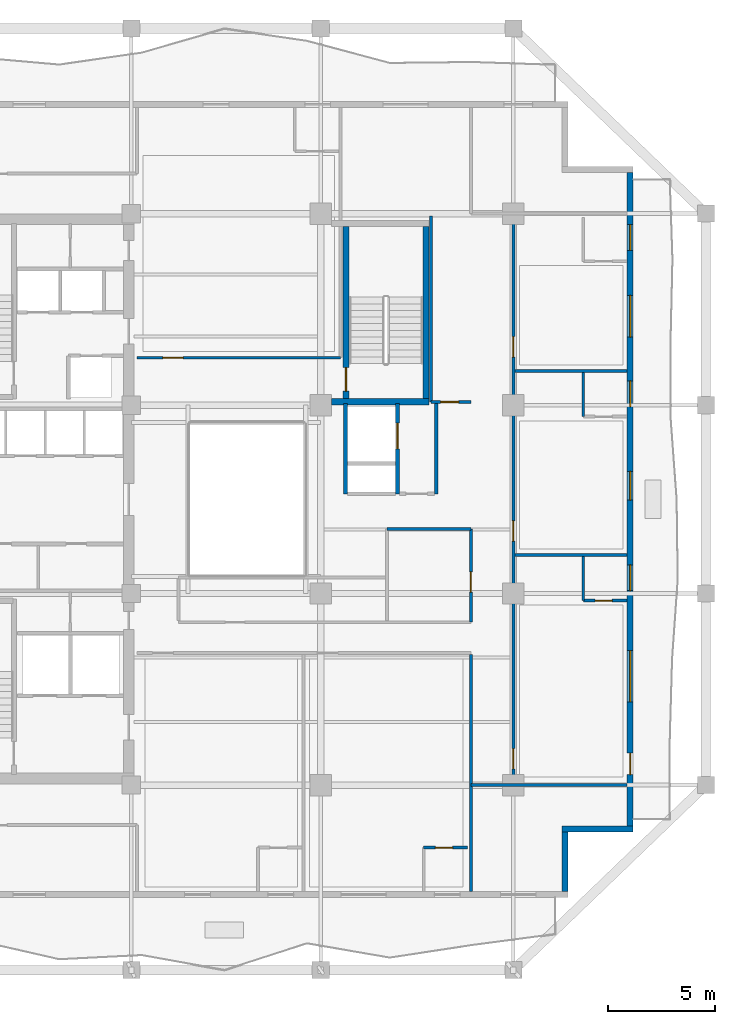
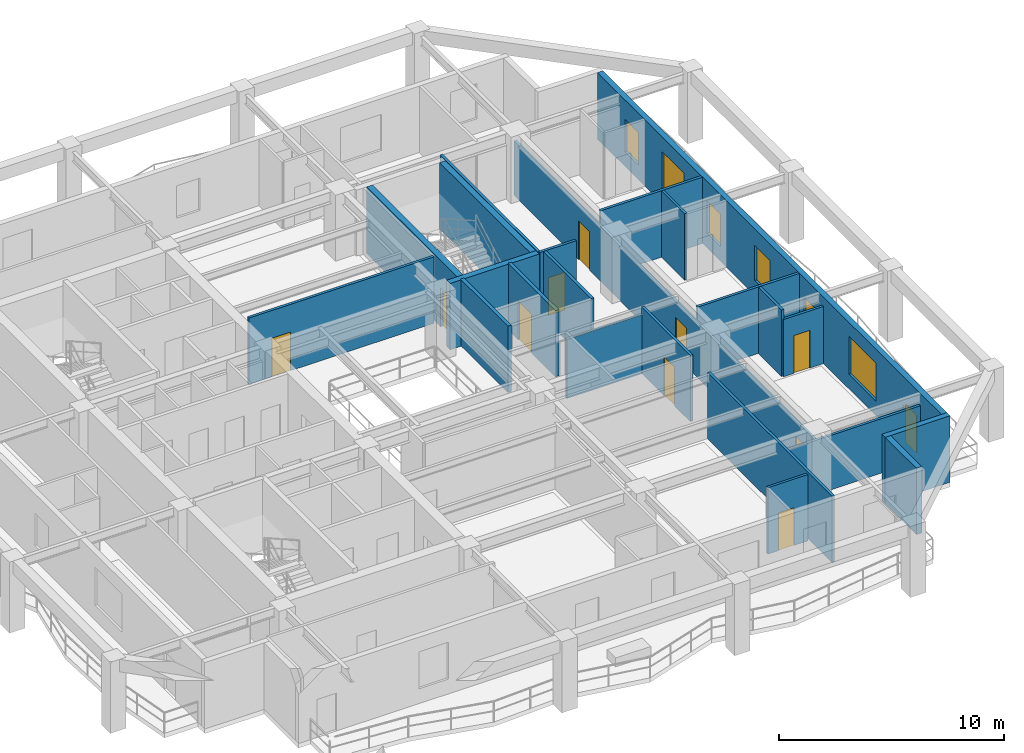
# One storey, part 5 of 11: 23 walls, 11 doors, 6 windows, 17 openings.
"""IFC4 building model written with IfcOpenShell, lengths in metres."""

import ifcopenshell
import ifcopenshell.guid

model = None  # the IFC model being written
_history = None  # IfcOwnerHistory: only IFC2X3 demands one
_inside = {}  # id of a spatial element -> (the spatial element, [elements in it])
_under = {}  # id of a project, library or spatial element -> (it, [spatial elements below it])
_declared = {}  # id of a project -> (the project, [libraries it declares])
_typed = {}  # id of a type object -> (the type object, [elements of that type])
_made_of = {}  # id of a material, layer set ... -> (it, [elements and type objects made of it])


def new_model(schema):
    """Start an empty IFC model of exactly this schema.

    Asked for "IFC4X3", IfcOpenShell would pick the latest addendum, in which some entities
    have other attributes; the version numbers below select the first issue.
    IFC2X3 requires an IfcOwnerHistory on every rooted entity: one is made here for all.
    """
    global model, _history
    if schema == "IFC4X3":
        model = ifcopenshell.file(schema_version=(4, 3, 0, 0))
    else:
        model = ifcopenshell.file(schema=schema)
    _inside.clear()
    _under.clear()
    _declared.clear()
    _typed.clear()
    _made_of.clear()
    _history = None
    if model.schema == "IFC2X3":
        org = make("IfcOrganization", Name="unknown")
        user = make(
            "IfcPersonAndOrganization",
            ThePerson=make("IfcPerson", FamilyName="unknown"),
            TheOrganization=org,
        )
        app = make(
            "IfcApplication",
            ApplicationDeveloper=org,
            Version="unknown",
            ApplicationFullName="unknown",
            ApplicationIdentifier="unknown",
        )
        _history = make(
            "IfcOwnerHistory",
            OwningUser=user,
            OwningApplication=app,
            ChangeAction="ADDED",
            CreationDate=0,
        )
    return model


def make(cls, **values):
    """One entity of the class cls with the attributes given. An attribute that is None is left unset."""
    return model.create_entity(
        cls, **{name: value for name, value in values.items() if value is not None}
    )


def rooted(cls, **values):
    """An entity with a GlobalId (a new one), such as an element, a storey or a relation."""
    return make(cls, GlobalId=ifcopenshell.guid.new(), OwnerHistory=_history, **values)


def si_unit(unit_type, name, prefix=None):
    """IfcSIUnit, for example si_unit("LENGTHUNIT", "METRE", prefix="MILLI")."""
    return make("IfcSIUnit", UnitType=unit_type, Prefix=prefix, Name=name)


def assignment(units):
    """IfcUnitAssignment: the units of a project."""
    return None if units is None else make("IfcUnitAssignment", Units=units)


def point(xyz):
    """IfcCartesianPoint."""
    return None if xyz is None else make("IfcCartesianPoint", Coordinates=xyz)


def direction(xyz):
    """IfcDirection."""
    return None if xyz is None else make("IfcDirection", DirectionRatios=xyz)


def frame(location, z_axis=None, x_axis=None):
    """IfcAxis2Placement3D, a coordinate frame: its origin and axes. An axis left out is left unset."""
    return make(
        "IfcAxis2Placement3D",
        Location=point(location),
        Axis=direction(z_axis),
        RefDirection=direction(x_axis),
    )


def frame_2d(location, x_axis=None):
    """IfcAxis2Placement2D, a coordinate frame in the plane: its origin and x axis."""
    return make(
        "IfcAxis2Placement2D", Location=point(location), RefDirection=direction(x_axis)
    )


def origin():
    """The frame at (0, 0, 0) with its axes left unset."""
    return frame((0.0, 0.0, 0.0))


def place(relative_to, where):
    """IfcLocalPlacement: puts the frame where relative to a parent placement (None: the world)."""
    return make(
        "IfcLocalPlacement", PlacementRelTo=relative_to, RelativePlacement=where
    )


def context(
    kind, dimensions, precision=None, world=None, true_north=None, identifier=None
):
    """IfcGeometricRepresentationContext, for example the 3D "Model" context."""
    return make(
        "IfcGeometricRepresentationContext",
        ContextIdentifier=identifier,
        ContextType=kind,
        CoordinateSpaceDimension=dimensions,
        Precision=precision,
        WorldCoordinateSystem=world,
        TrueNorth=true_north,
    )


def subcontext(parent, identifier, kind, view, scale=None):
    """IfcGeometricRepresentationSubContext, for example "Body" below "Model"."""
    return make(
        "IfcGeometricRepresentationSubContext",
        ContextIdentifier=identifier,
        ContextType=kind,
        ParentContext=parent,
        TargetScale=scale,
        TargetView=view,
    )


def project(units=None, contexts=None):
    """IfcProject with its units and contexts."""
    return rooted(
        "IfcProject",
        Name="project",
        RepresentationContexts=contexts,
        UnitsInContext=assignment(units),
    )


def spatial(cls, under=None, at=None, **own):
    """A site, building, storey or space (cls), placed at a placement, below another one or the project."""
    s = rooted(cls, ObjectPlacement=at, **own)
    if under is not None:
        _under.setdefault(under.id(), (under, []))[1].append(s)
    return s


def profile(cls, at=None, kind="AREA", **sizes):
    """A parametric profile (cls). Its sizes go by their IFC names, for example OverallWidth=200.0."""
    return make(cls, ProfileType=kind, Position=at, **sizes)


def rectangle(**sizes):
    """IfcRectangleProfileDef."""
    return profile("IfcRectangleProfileDef", **sizes)


def extrude(swept, where, along, depth):
    """IfcExtrudedAreaSolid: the profile swept, set in the frame where, extruded along a direction by depth."""
    return make(
        "IfcExtrudedAreaSolid",
        SweptArea=swept,
        Position=where,
        ExtrudedDirection=direction(along),
        Depth=depth,
    )


def shape(context_of_items, identifier, shape_type, items):
    """IfcShapeRepresentation: the items that make up one representation, for example the "Body"."""
    return make(
        "IfcShapeRepresentation",
        ContextOfItems=context_of_items,
        RepresentationIdentifier=identifier,
        RepresentationType=shape_type,
        Items=items,
    )


def material(Name=None, Category=None):
    """IfcMaterial."""
    return make("IfcMaterial", Name=Name, Category=Category)


def layer(
    of_material, thickness, ventilated=None, Name=None, Category=None, Priority=None
):
    """IfcMaterialLayer: one layer of a wall or slab, of a material (None: an air gap)."""
    return make(
        "IfcMaterialLayer",
        Material=of_material,
        LayerThickness=thickness,
        IsVentilated=ventilated,
        Name=Name,
        Category=Category,
        Priority=Priority,
    )


def layer_set(layers, Name=None):
    """IfcMaterialLayerSet."""
    return make("IfcMaterialLayerSet", MaterialLayers=layers, LayerSetName=Name)


def made_of(thing, what):
    """Note that an element or type object is made of a material, layer set ...; save() writes the relation."""
    if what is not None:
        _made_of.setdefault(what.id(), (what, []))[1].append(thing)
    return thing


def type_object(cls, material=None, **own):
    """A type object (cls), such as IfcWallType, which elements share."""
    return made_of(rooted(cls, **own), material)


def element(
    cls,
    number,
    at=None,
    inside=None,
    cuts=None,
    type_object=None,
    material=None,
    context=None,
    identifier="Body",
    shape_type=None,
    held_by="IfcProductDefinitionShape",
    body=None,
    shapes=None,
    **own,
):
    """One element of the class cls, such as IfcWall. Its Tag is "e" and its number.

    at: its placement. inside: the storey or other place that contains it. cuts: it is an
    opening in that element (IfcRelVoidsElement). A single representation is given by context,
    identifier, shape_type and body (its items); several are given by shapes. held_by: the class
    of the entity that holds the representations. save() writes the other relations.
    """
    e = rooted(cls, Tag="e%d" % number, ObjectPlacement=at, **own)
    if body is not None:
        shapes = [shape(context, identifier, shape_type, body)]
    if shapes is not None:
        e.Representation = make(held_by, Representations=shapes)
    if inside is not None:
        _inside.setdefault(inside.id(), (inside, []))[1].append(e)
    if cuts is not None:
        rooted(
            "IfcRelVoidsElement", RelatingBuildingElement=cuts, RelatedOpeningElement=e
        )
    if type_object is not None:
        _typed.setdefault(type_object.id(), (type_object, []))[1].append(e)
    return made_of(e, material)


def fill(opening, filler):
    """IfcRelFillsElement: the door or window that sits in an opening."""
    return rooted(
        "IfcRelFillsElement",
        RelatingOpeningElement=opening,
        RelatedBuildingElement=filler,
    )


def aggregate(whole, parts):
    """IfcRelAggregates: a whole, such as a stair, and the parts it consists of."""
    return rooted("IfcRelAggregates", RelatingObject=whole, RelatedObjects=parts)


def save(model, path):
    """Write the relations noted so far, then the file.

    IfcRelAggregates (storeys below a building ...), IfcRelContainedInSpatialStructure (elements
    in a storey), IfcRelDefinesByType, IfcRelAssociatesMaterial and IfcRelDeclares: one each for
    every whole, place, type object, material and project.
    """
    for whole, parts in _under.values():
        aggregate(whole, parts)
    for where, things in _inside.values():
        rooted(
            "IfcRelContainedInSpatialStructure",
            RelatedElements=things,
            RelatingStructure=where,
        )
    for kind, things in _typed.values():
        rooted("IfcRelDefinesByType", RelatedObjects=things, RelatingType=kind)
    for what, things in _made_of.values():
        rooted("IfcRelAssociatesMaterial", RelatedObjects=things, RelatingMaterial=what)
    for by, libraries in _declared.values():
        rooted("IfcRelDeclares", RelatingContext=by, RelatedDefinitions=libraries)
    model.write(path)


model = new_model("IFC4")

# Units and contexts
model_context = context("Model", 3, precision=1e-05, world=origin(), true_north=direction((0.0, 1.0)))
body_context = subcontext(model_context, "Body", "Model", "MODEL_VIEW")
ifc_project = project(units=[si_unit("LENGTHUNIT", "METRE"), si_unit("AREAUNIT", "SQUARE_METRE"), si_unit("VOLUMEUNIT", "CUBIC_METRE"), si_unit("PLANEANGLEUNIT", "RADIAN"), si_unit("MASSUNIT", "GRAM", prefix="KILO")], contexts=[model_context])

# Site, building, storey
site_placement = place(None, origin())
site = spatial("IfcSite", under=ifc_project, at=site_placement, CompositionType="ELEMENT")
building_placement = place(site_placement, origin())
building = spatial("IfcBuilding", under=site, at=building_placement, Name="Kundavana Baori Tower", CompositionType="ELEMENT")
storey_placement = place(building_placement, frame((0.0, 0.0, 119.39990234375)))
storey = spatial("IfcBuildingStorey", under=building, at=storey_placement, Name="L28", CompositionType="ELEMENT", Elevation=119.39990234375)

# Walls
ifc_material_1 = material(Name="Red-Buff Dholpur Sandstone Cladding on Concrete C40/50", Category="masonry")
ifc_layer_1 = layer(ifc_material_1, 0.280029296875, Name="WL-EXT-SAND-280")
ifc_layer_set_1 = layer_set([ifc_layer_1], Name="Red-Buff Dholpur Sandstone Cladding on Concrete C40/50")
wall_type_1 = type_object("IfcWallType", Name="WL-EXT-SAND-280", PredefinedType="STANDARD", material=ifc_layer_set_1)
wall_1_placement = place(storey_placement, frame((45.2099609375, 10.280029296875, 0.0), z_axis=(0.0, 0.0, 1.0), x_axis=(0.0, 1.0, 0.0)))
element("IfcWall", 1, at=wall_1_placement, inside=storey, type_object=wall_type_1, Name="L28 Exterior Insulated Facade Wall 02", PredefinedType="STANDARD", context=body_context, shape_type="SweptSolid", body=[
    extrude(rectangle(XDim=2.77001953125, YDim=0.280029296875, at=frame_2d((1.385009765625, 0.0))), origin(), (0.0, 0.0, 1.0), 3.60009765625),
])
wall_2_placement = place(storey_placement, frame((45.070068359375, 13.18994140625, 0.0), z_axis=(0.0, 0.0, 1.0), x_axis=(1.0, 0.0, 0.0)))
element("IfcWall", 2, at=wall_2_placement, inside=storey, type_object=wall_type_1, Name="L28 Exterior Insulated Facade Wall 03", PredefinedType="STANDARD", context=body_context, shape_type="SweptSolid", body=[
    extrude(rectangle(XDim=3.329833984375, YDim=0.280029296875, at=frame_2d((1.6650390625, 0.0))), origin(), (0.0, 0.0, 1.0), 3.60009765625),
])

# Wall, openings, door, windows
wall_3_placement = place(storey_placement, frame((48.260009765625, 13.330078125, 0.0), z_axis=(0.0, 0.0, 1.0), x_axis=(0.0, 1.0, 0.0)))
wall_3 = element("IfcWall", 3, at=wall_3_placement, inside=storey, type_object=wall_type_1, Name="L28 Exterior Insulated Facade Wall 04", PredefinedType="STANDARD", context=body_context, shape_type="SweptSolid", body=[
    extrude(rectangle(XDim=30.5400390625, YDim=0.280029296875, at=frame_2d((15.27001953125, 0.0))), origin(), (0.0, 0.0, 1.0), 3.60009765625),
])
opening_1_placement = place(wall_3_placement, frame((2.409912109375, 0.0, 0.0)))
opening_1 = element("IfcOpeningElement", 4, at=opening_1_placement, cuts=wall_3, Name="Opening BD-1", PredefinedType="OPENING", context=body_context, shape_type="SweptSolid", body=[
    extrude(rectangle(XDim=1.0, YDim=2.050048828125, at=frame_2d((0.5, 1.02490234375))), frame((0.0, 0.14990234375, 0.0), z_axis=(0.0, -1.0, 0.0), x_axis=(1.0, 0.0, 0.0)), (0.0, 0.0, 1.0), 0.300048828125),
])
opening_2_placement = place(wall_3_placement, frame((5.804931640625, 0.0, 0.800048828125)))
opening_2 = element("IfcOpeningElement", 5, at=opening_2_placement, cuts=wall_3, Name="Opening W-04", PredefinedType="OPENING", context=body_context, shape_type="SweptSolid", body=[
    extrude(rectangle(XDim=2.39990234375, YDim=2.050048828125, at=frame_2d((1.199951171875, 1.02490234375))), frame((0.0, 0.14990234375, 0.0), z_axis=(0.0, -1.0, 0.0), x_axis=(1.0, 0.0, 0.0)), (0.0, 0.0, 1.0), 0.300048828125),
])
opening_3_placement = place(wall_3_placement, frame((11.0048828125, 0.0, 0.800048828125)))
opening_3 = element("IfcOpeningElement", 6, at=opening_3_placement, cuts=wall_3, Name="Opening W-03", PredefinedType="OPENING", context=body_context, shape_type="SweptSolid", body=[
    extrude(rectangle(XDim=1.199951171875, YDim=1.75, at=frame_2d((0.60009765625, 0.875))), frame((0.0, 0.14990234375, 0.0), z_axis=(0.0, -1.0, 0.0), x_axis=(1.0, 0.0, 0.0)), (0.0, 0.0, 1.0), 0.300048828125),
])
opening_4_placement = place(wall_3_placement, frame((15.22998046875, 0.0, 0.800048828125)))
opening_4 = element("IfcOpeningElement", 7, at=opening_4_placement, cuts=wall_3, Name="Opening W-07", PredefinedType="OPENING", context=body_context, shape_type="SweptSolid", body=[
    extrude(rectangle(XDim=1.35009765625, YDim=1.89990234375, at=frame_2d((0.675048828125, 0.949951171875))), frame((0.0, 0.14990234375, 0.0), z_axis=(0.0, -1.0, 0.0), x_axis=(1.0, 0.0, 0.0)), (0.0, 0.0, 1.0), 0.300048828125),
])
opening_5_placement = place(wall_3_placement, frame((19.60498046875, 0.0, 0.800048828125)))
opening_5 = element("IfcOpeningElement", 8, at=opening_5_placement, cuts=wall_3, Name="Opening W-03", PredefinedType="OPENING", context=body_context, shape_type="SweptSolid", body=[
    extrude(rectangle(XDim=1.199951171875, YDim=1.75, at=frame_2d((0.60009765625, 0.875))), frame((0.0, 0.14990234375, 0.0), z_axis=(0.0, -1.0, 0.0), x_axis=(1.0, 0.0, 0.0)), (0.0, 0.0, 1.0), 0.300048828125),
])
opening_6_placement = place(wall_3_placement, frame((22.85498046875, 0.0, 0.800048828125)))
opening_6 = element("IfcOpeningElement", 9, at=opening_6_placement, cuts=wall_3, Name="Opening W-09", PredefinedType="OPENING", context=body_context, shape_type="SweptSolid", body=[
    extrude(rectangle(XDim=1.949951171875, YDim=2.0, at=frame_2d((0.97509765625, 1.0))), frame((0.0, 0.14990234375, 0.0), z_axis=(0.0, -1.0, 0.0), x_axis=(1.0, 0.0, 0.0)), (0.0, 0.0, 1.0), 0.300048828125),
])
opening_7_placement = place(wall_3_placement, frame((26.905029296875, 0.0, 0.800048828125)))
opening_7 = element("IfcOpeningElement", 10, at=opening_7_placement, cuts=wall_3, Name="Opening W-03", PredefinedType="OPENING", context=body_context, shape_type="SweptSolid", body=[
    extrude(rectangle(XDim=1.199951171875, YDim=1.75, at=frame_2d((0.60009765625, 0.875))), frame((0.0, 0.14990234375, 0.0), z_axis=(0.0, -1.0, 0.0), x_axis=(1.0, 0.0, 0.0)), (0.0, 0.0, 1.0), 0.300048828125),
])
ifc_material_2 = material(Name="Architectural Patinated Bronze Metalwork")
door_type_1 = type_object("IfcDoorType", Name="DR-EXT-LOG-1000", OperationType="NOTDEFINED", PredefinedType="DOOR", material=ifc_material_2)
door_1_placement = place(opening_1_placement, frame((1.0, 0.0, 0.0), z_axis=(0.0, 0.0, 1.0), x_axis=(-1.0, 0.0, 0.0)))
door_1 = element("IfcDoor", 11, at=door_1_placement, inside=storey, type_object=door_type_1, Name="L28 Loggia Balcony Access Door E", OperationType="SINGLE_SWING_RIGHT", OverallHeight=2.050048828125, OverallWidth=1.0, PredefinedType="DOOR", context=body_context, shape_type="SweptSolid", body=[
    extrude(rectangle(XDim=1.0, YDim=2.050048828125, at=frame_2d((0.5, 1.02490234375))), frame((0.0, 0.02490234375, 0.0), z_axis=(0.0, -1.0, 0.0), x_axis=(1.0, 0.0, 0.0)), (0.0, 0.0, 1.0), 0.050048828125),
])
fill(opening_1, door_1)
ifc_material_3 = material(Name="Double-Glazed Solar-Control Low-E Insulated Glass", Category="glass")
window_type_1 = type_object("IfcWindowType", Name="WIN-LOG-1200x1750", PartitioningType="SINGLE_PANEL", PredefinedType="WINDOW", material=ifc_material_3)
window_1_placement = place(opening_3_placement, origin())
window_1 = element("IfcWindow", 12, at=window_1_placement, inside=storey, type_object=window_type_1, Name="L28 Recessed Loggia Window E-2", OverallHeight=1.75, OverallWidth=1.199951171875, PartitioningType="SINGLE_PANEL", PredefinedType="WINDOW", context=body_context, shape_type="SweptSolid", body=[
    extrude(rectangle(XDim=1.199951171875, YDim=1.75, at=frame_2d((0.60009765625, 0.875))), frame((0.0, 0.030029296875, 0.0), z_axis=(0.0, -1.0, 0.0), x_axis=(1.0, 0.0, 0.0)), (0.0, 0.0, 1.0), 0.06005859375),
])
fill(opening_3, window_1)
window_2_placement = place(opening_5_placement, origin())
window_2 = element("IfcWindow", 13, at=window_2_placement, inside=storey, type_object=window_type_1, Name="L28 Recessed Loggia Window E-4", OverallHeight=1.75, OverallWidth=1.199951171875, PartitioningType="SINGLE_PANEL", PredefinedType="WINDOW", context=body_context, shape_type="SweptSolid", body=[
    extrude(rectangle(XDim=1.199951171875, YDim=1.75, at=frame_2d((0.60009765625, 0.875))), frame((0.0, 0.030029296875, 0.0), z_axis=(0.0, -1.0, 0.0), x_axis=(1.0, 0.0, 0.0)), (0.0, 0.0, 1.0), 0.06005859375),
])
fill(opening_5, window_2)
window_3_placement = place(opening_7_placement, origin())
window_3 = element("IfcWindow", 14, at=window_3_placement, inside=storey, type_object=window_type_1, Name="L28 Recessed Loggia Window E-6", OverallHeight=1.75, OverallWidth=1.199951171875, PartitioningType="SINGLE_PANEL", PredefinedType="WINDOW", context=body_context, shape_type="SweptSolid", body=[
    extrude(rectangle(XDim=1.199951171875, YDim=1.75, at=frame_2d((0.60009765625, 0.875))), frame((0.0, 0.030029296875, 0.0), z_axis=(0.0, -1.0, 0.0), x_axis=(1.0, 0.0, 0.0)), (0.0, 0.0, 1.0), 0.06005859375),
])
fill(opening_7, window_3)
ifc_material_4 = material(Name="Double-Glazed Solar-Control Low-E Insulated Glass", Category="glass")
window_type_2 = type_object("IfcWindowType", Name="WIN-LOG-1350x1900", PartitioningType="SINGLE_PANEL", PredefinedType="WINDOW", material=ifc_material_4)
window_4_placement = place(opening_4_placement, origin())
window_4 = element("IfcWindow", 15, at=window_4_placement, inside=storey, type_object=window_type_2, Name="L28 Recessed Loggia Window E-3", OverallHeight=1.89990234375, OverallWidth=1.35009765625, PartitioningType="SINGLE_PANEL", PredefinedType="WINDOW", context=body_context, shape_type="SweptSolid", body=[
    extrude(rectangle(XDim=1.35009765625, YDim=1.89990234375, at=frame_2d((0.675048828125, 0.949951171875))), frame((0.0, 0.030029296875, 0.0), z_axis=(0.0, -1.0, 0.0), x_axis=(1.0, 0.0, 0.0)), (0.0, 0.0, 1.0), 0.06005859375),
])
fill(opening_4, window_4)
ifc_material_5 = material(Name="Double-Glazed Solar-Control Low-E Insulated Glass", Category="glass")
window_type_3 = type_object("IfcWindowType", Name="WIN-LOG-1950x2000", PartitioningType="SINGLE_PANEL", PredefinedType="WINDOW", material=ifc_material_5)
window_5_placement = place(opening_6_placement, origin())
window_5 = element("IfcWindow", 16, at=window_5_placement, inside=storey, type_object=window_type_3, Name="L28 Recessed Loggia Window E-5", OverallHeight=2.0, OverallWidth=1.949951171875, PartitioningType="SINGLE_PANEL", PredefinedType="WINDOW", context=body_context, shape_type="SweptSolid", body=[
    extrude(rectangle(XDim=1.949951171875, YDim=2.0, at=frame_2d((0.97509765625, 1.0))), frame((0.0, 0.030029296875, 0.0), z_axis=(0.0, -1.0, 0.0), x_axis=(1.0, 0.0, 0.0)), (0.0, 0.0, 1.0), 0.06005859375),
])
fill(opening_6, window_5)
ifc_material_6 = material(Name="Double-Glazed Solar-Control Low-E Insulated Glass", Category="glass")
window_type_4 = type_object("IfcWindowType", Name="WIN-LOG-2400x2050", PartitioningType="SINGLE_PANEL", PredefinedType="WINDOW", material=ifc_material_6)
window_6_placement = place(opening_2_placement, origin())
window_6 = element("IfcWindow", 17, at=window_6_placement, inside=storey, type_object=window_type_4, Name="L28 Recessed Loggia Window E-1", OverallHeight=2.050048828125, OverallWidth=2.39990234375, PartitioningType="SINGLE_PANEL", PredefinedType="WINDOW", context=body_context, shape_type="SweptSolid", body=[
    extrude(rectangle(XDim=2.39990234375, YDim=2.050048828125, at=frame_2d((1.199951171875, 1.02490234375))), frame((0.0, 0.030029296875, 0.0), z_axis=(0.0, -1.0, 0.0), x_axis=(1.0, 0.0, 0.0)), (0.0, 0.0, 1.0), 0.06005859375),
])
fill(opening_2, window_6)

# Wall, opening, door
ifc_material_7 = material(Name="Acoustic Gypsum Plasterboard on Galvanised Steel Studs", Category="steel")
ifc_layer_2 = layer(ifc_material_7, 0.135009765625, Name="WL-PART-135")
ifc_layer_set_2 = layer_set([ifc_layer_2], Name="Acoustic Gypsum Plasterboard on Galvanised Steel Studs")
wall_type_2 = type_object("IfcWallType", Name="WL-PART-135", PredefinedType="PARTITIONING", material=ifc_layer_set_2)
wall_4_placement = place(storey_placement, frame((25.219970703125, 35.219970703125, 0.0), z_axis=(0.0, 0.0, 1.0), x_axis=(1.0, 0.0, 0.0)))
wall_4 = element("IfcWall", 18, at=wall_4_placement, inside=storey, type_object=wall_type_2, Name="WL-L28-HN", PredefinedType="PARTITIONING", context=body_context, shape_type="SweptSolid", body=[
    extrude(rectangle(XDim=9.5, YDim=0.135009765625, at=frame_2d((4.75, 0.0))), origin(), (0.0, 0.0, 1.0), 3.60009765625),
])
opening_8_placement = place(wall_4_placement, frame((1.199951171875, 0.0, 0.0)))
opening_8 = element("IfcOpeningElement", 19, at=opening_8_placement, cuts=wall_4, Name="Opening FD-095", PredefinedType="OPENING", context=body_context, shape_type="SweptSolid", body=[
    extrude(rectangle(XDim=0.949951171875, YDim=2.10009765625, at=frame_2d((0.47509765625, 1.050048828125))), frame((0.0, 0.07763671875, 0.0), z_axis=(0.0, -1.0, 0.0), x_axis=(1.0, 0.0, 0.0)), (0.0, 0.0, 1.0), 0.155029296875),
])
ifc_material_8 = material(Name="Engineered Teak Fire-Rated Timber Door Leaf", Category="wood")
door_type_2 = type_object("IfcDoorType", Name="DR-FD60-950", OperationType="NOTDEFINED", PredefinedType="DOOR", material=ifc_material_8)
door_2_placement = place(opening_8_placement, origin())
door_2 = element("IfcDoor", 20, at=door_2_placement, inside=storey, type_object=door_type_2, Name="DR-L28-HK-N1-ENT", OperationType="SINGLE_SWING_RIGHT", OverallHeight=2.10009765625, OverallWidth=0.949951171875, PredefinedType="DOOR", context=body_context, shape_type="SweptSolid", body=[
    extrude(rectangle(XDim=0.949951171875, YDim=2.10009765625, at=frame_2d((0.47509765625, 1.050048828125))), frame((0.0, 0.02490234375, 0.0), z_axis=(0.0, -1.0, 0.0), x_axis=(1.0, 0.0, 0.0)), (0.0, 0.0, 1.0), 0.050048828125),
])
fill(opening_8, door_2)

# Wall, openings, doors
wall_5_placement = place(storey_placement, frame((42.800048828125, 15.25, 0.0), z_axis=(0.0, 0.0, 1.0), x_axis=(0.0, 1.0, 0.0)))
wall_5 = element("IfcWall", 21, at=wall_5_placement, inside=storey, type_object=wall_type_2, Name="WL-L28-HE", PredefinedType="PARTITIONING", context=body_context, shape_type="SweptSolid", body=[
    extrude(rectangle(XDim=26.699951171875, YDim=0.135009765625, at=frame_2d((13.35009765625, 0.0))), origin(), (0.0, 0.0, 1.0), 2.9501953125),
])
opening_9_placement = place(wall_5_placement, frame((0.75, 0.0, 0.0)))
opening_9 = element("IfcOpeningElement", 22, at=opening_9_placement, cuts=wall_5, Name="Opening FD-095", PredefinedType="OPENING", context=body_context, shape_type="SweptSolid", body=[
    extrude(rectangle(XDim=0.949951171875, YDim=2.10009765625, at=frame_2d((0.47509765625, 1.050048828125))), frame((0.0, 0.07763671875, 0.0), z_axis=(0.0, -1.0, 0.0), x_axis=(1.0, 0.0, 0.0)), (0.0, 0.0, 1.0), 0.155029296875),
])
opening_10_placement = place(wall_5_placement, frame((11.39990234375, 0.0, 0.0)))
opening_10 = element("IfcOpeningElement", 23, at=opening_10_placement, cuts=wall_5, Name="Opening FD-095", PredefinedType="OPENING", context=body_context, shape_type="SweptSolid", body=[
    extrude(rectangle(XDim=0.949951171875, YDim=2.10009765625, at=frame_2d((0.47509765625, 1.050048828125))), frame((0.0, 0.07763671875, 0.0), z_axis=(0.0, -1.0, 0.0), x_axis=(1.0, 0.0, 0.0)), (0.0, 0.0, 1.0), 0.155029296875),
])
opening_11_placement = place(wall_5_placement, frame((20.0, 0.0, 0.0)))
opening_11 = element("IfcOpeningElement", 24, at=opening_11_placement, cuts=wall_5, Name="Opening FD-095", PredefinedType="OPENING", context=body_context, shape_type="SweptSolid", body=[
    extrude(rectangle(XDim=0.949951171875, YDim=2.10009765625, at=frame_2d((0.47509765625, 1.050048828125))), frame((0.0, 0.07763671875, 0.0), z_axis=(0.0, -1.0, 0.0), x_axis=(1.0, 0.0, 0.0)), (0.0, 0.0, 1.0), 0.155029296875),
])
door_3_placement = place(opening_9_placement, origin())
door_3 = element("IfcDoor", 25, at=door_3_placement, inside=storey, type_object=door_type_2, Name="DR-L28-HK-E1-ENT", OperationType="SINGLE_SWING_LEFT", OverallHeight=2.10009765625, OverallWidth=0.949951171875, PredefinedType="DOOR", context=body_context, shape_type="SweptSolid", body=[
    extrude(rectangle(XDim=0.949951171875, YDim=2.10009765625, at=frame_2d((0.47509765625, 1.050048828125))), frame((0.0, 0.02490234375, 0.0), z_axis=(0.0, -1.0, 0.0), x_axis=(1.0, 0.0, 0.0)), (0.0, 0.0, 1.0), 0.050048828125),
])
fill(opening_9, door_3)
door_4_placement = place(opening_10_placement, origin())
door_4 = element("IfcDoor", 26, at=door_4_placement, inside=storey, type_object=door_type_2, Name="DR-L28-HK-E2-ENT", OperationType="SINGLE_SWING_LEFT", OverallHeight=2.10009765625, OverallWidth=0.949951171875, PredefinedType="DOOR", context=body_context, shape_type="SweptSolid", body=[
    extrude(rectangle(XDim=0.949951171875, YDim=2.10009765625, at=frame_2d((0.47509765625, 1.050048828125))), frame((0.0, 0.02490234375, 0.0), z_axis=(0.0, -1.0, 0.0), x_axis=(1.0, 0.0, 0.0)), (0.0, 0.0, 1.0), 0.050048828125),
])
fill(opening_10, door_4)
door_5_placement = place(opening_11_placement, origin())
door_5 = element("IfcDoor", 27, at=door_5_placement, inside=storey, type_object=door_type_2, Name="DR-L28-HK-E3-ENT", OperationType="SINGLE_SWING_LEFT", OverallHeight=2.10009765625, OverallWidth=0.949951171875, PredefinedType="DOOR", context=body_context, shape_type="SweptSolid", body=[
    extrude(rectangle(XDim=0.949951171875, YDim=2.10009765625, at=frame_2d((0.47509765625, 1.050048828125))), frame((0.0, 0.02490234375, 0.0), z_axis=(0.0, -1.0, 0.0), x_axis=(1.0, 0.0, 0.0)), (0.0, 0.0, 1.0), 0.050048828125),
])
fill(opening_11, door_5)

# Wall
wall_6_placement = place(storey_placement, frame((40.820068359375, 15.25, 0.0), z_axis=(0.0, 0.0, 1.0), x_axis=(1.0, 0.0, 0.0)))
element("IfcWall", 28, at=wall_6_placement, inside=storey, type_object=wall_type_2, Name="WL-L28-HES", PredefinedType="PARTITIONING", context=body_context, shape_type="SweptSolid", body=[
    extrude(rectangle(XDim=7.300048828125, YDim=0.135009765625, at=frame_2d((3.64990234375, 0.0))), origin(), (0.0, 0.0, 1.0), 2.9501953125),
])

# Wall, opening, door
wall_7_placement = place(storey_placement, frame((40.820068359375, 22.860107421875, 0.0), z_axis=(0.0, 0.0, 1.0), x_axis=(0.0, 1.0, 0.0)))
wall_7 = element("IfcWall", 29, at=wall_7_placement, inside=storey, type_object=wall_type_2, Name="WL-L28-HEW", PredefinedType="PARTITIONING", context=body_context, shape_type="SweptSolid", body=[
    extrude(rectangle(XDim=4.35986328125, YDim=0.135009765625, at=frame_2d((2.179931640625, 0.0))), origin(), (0.0, 0.0, 1.0), 3.60009765625),
])
opening_12_placement = place(wall_7_placement, frame((1.39990234375, 0.0, 0.0)))
opening_12 = element("IfcOpeningElement", 30, at=opening_12_placement, cuts=wall_7, Name="Opening FD-095", PredefinedType="OPENING", context=body_context, shape_type="SweptSolid", body=[
    extrude(rectangle(XDim=0.949951171875, YDim=2.10009765625, at=frame_2d((0.47509765625, 1.050048828125))), frame((0.0, 0.07763671875, 0.0), z_axis=(0.0, -1.0, 0.0), x_axis=(1.0, 0.0, 0.0)), (0.0, 0.0, 1.0), 0.155029296875),
])
door_6_placement = place(opening_12_placement, frame((0.949951171875, 0.0, 0.0), z_axis=(0.0, 0.0, 1.0), x_axis=(-1.0, 0.0, 0.0)))
door_6 = element("IfcDoor", 31, at=door_6_placement, inside=storey, type_object=door_type_2, Name="DR-L28-HSK", OperationType="SINGLE_SWING_RIGHT", OverallHeight=2.10009765625, OverallWidth=0.949951171875, PredefinedType="DOOR", context=body_context, shape_type="SweptSolid", body=[
    extrude(rectangle(XDim=0.949951171875, YDim=2.10009765625, at=frame_2d((0.47509765625, 1.050048828125))), frame((0.0, 0.02490234375, 0.0), z_axis=(0.0, -1.0, 0.0), x_axis=(1.0, 0.0, 0.0)), (0.0, 0.0, 1.0), 0.050048828125),
])
fill(opening_12, door_6)

# Walls
wall_8_placement = place(storey_placement, frame((36.89990234375, 27.219970703125, 0.0), z_axis=(0.0, 0.0, 1.0), x_axis=(1.0, 0.0, 0.0)))
element("IfcWall", 32, at=wall_8_placement, inside=storey, type_object=wall_type_2, Name="WL-L28-HKN", PredefinedType="PARTITIONING", context=body_context, shape_type="SweptSolid", body=[
    extrude(rectangle(XDim=3.920166015625, YDim=0.135009765625, at=frame_2d((1.9599609375, 0.0))), origin(), (0.0, 0.0, 1.0), 3.2001953125),
])
wall_9_placement = place(storey_placement, frame((40.820068359375, 10.280029296875, 0.0), z_axis=(0.0, 0.0, 1.0), x_axis=(0.0, 1.0, 0.0)))
element("IfcWall", 33, at=wall_9_placement, inside=storey, type_object=wall_type_2, Name="WL-L28-HSEND", PredefinedType="PARTITIONING", context=body_context, shape_type="SweptSolid", body=[
    extrude(rectangle(XDim=11.06005859375, YDim=0.135009765625, at=frame_2d((5.530029296875, 0.0))), origin(), (0.0, 0.0, 1.0), 3.60009765625),
])
for number, where, z_axis, x_axis, name in (
    (34, (42.8798828125, 26.0, 0.0), (0.0, 0.0, 1.0), (1.0, 0.0, 0.0), "WL-L28-HED1"),
    (35, (42.8798828125, 34.60009765625, 0.0), (0.0, 0.0, 1.0), (1.0, 0.0, 0.0), "WL-L28-HED2"),
):
    element("IfcWall", number, at=place(storey_placement, frame(where, z_axis=z_axis, x_axis=x_axis)), inside=storey, type_object=wall_type_2, Name=name, PredefinedType="PARTITIONING", context=body_context, shape_type="SweptSolid", body=[
        extrude(rectangle(XDim=5.240234375, YDim=0.135009765625, at=frame_2d((2.6201171875, 0.0))), origin(), (0.0, 0.0, 1.0), 3.60009765625),
    ])

# Wall, opening, door
wall_10_placement = place(storey_placement, frame((38.949951171875, 33.14990234375, 0.0), z_axis=(0.0, 0.0, 1.0), x_axis=(1.0, 0.0, 0.0)))
wall_10 = element("IfcWall", 36, at=wall_10_placement, inside=storey, type_object=wall_type_2, Name="WL-L28-HNES", PredefinedType="PARTITIONING", context=body_context, shape_type="SweptSolid", body=[
    extrude(rectangle(XDim=1.8701171875, YDim=0.135009765625, at=frame_2d((0.93505859375, 0.0))), origin(), (0.0, 0.0, 1.0), 3.60009765625),
])
opening_13_placement = place(wall_10_placement, frame((0.449951171875, 0.0, 0.0)))
opening_13 = element("IfcOpeningElement", 37, at=opening_13_placement, cuts=wall_10, Name="Opening WD-085", PredefinedType="OPENING", context=body_context, shape_type="SweptSolid", body=[
    extrude(rectangle(XDim=0.85009765625, YDim=2.050048828125, at=frame_2d((0.425048828125, 1.02490234375))), frame((0.0, 0.07763671875, 0.0), z_axis=(0.0, -1.0, 0.0), x_axis=(1.0, 0.0, 0.0)), (0.0, 0.0, 1.0), 0.155029296875),
])
ifc_material_9 = material(Name="Engineered Teak Solid-Core Timber Veneer", Category="wood")
door_type_3 = type_object("IfcDoorType", Name="DR-WET-850", OperationType="NOTDEFINED", PredefinedType="DOOR", material=ifc_material_9)
door_7_placement = place(opening_13_placement, origin())
door_7 = element("IfcDoor", 38, at=door_7_placement, inside=storey, type_object=door_type_3, Name="DR-L28-HLNE", OperationType="SINGLE_SWING_LEFT", OverallHeight=2.050048828125, OverallWidth=0.85009765625, PredefinedType="DOOR", context=body_context, shape_type="SweptSolid", body=[
    extrude(rectangle(XDim=0.85009765625, YDim=2.050048828125, at=frame_2d((0.425048828125, 1.02490234375))), frame((0.0, 0.02490234375, 0.0), z_axis=(0.0, -1.0, 0.0), x_axis=(1.0, 0.0, 0.0)), (0.0, 0.0, 1.0), 0.050048828125),
])
fill(opening_13, door_7)

# Walls
wall_11_placement = place(storey_placement, frame((38.949951171875, 33.14990234375, 0.0), z_axis=(0.0, 0.0, 1.0), x_axis=(0.0, 1.0, 0.0)))
element("IfcWall", 39, at=wall_11_placement, inside=storey, type_object=wall_type_2, Name="WL-L28-HNEW", PredefinedType="PARTITIONING", context=body_context, shape_type="SweptSolid", body=[
    extrude(rectangle(XDim=8.7001953125, YDim=0.135009765625, at=frame_2d((4.35009765625, 0.0))), origin(), (0.0, 0.0, 1.0), 3.60009765625),
])
ifc_material_10 = material(Name="Fire-Rated Gypsum Drywall on Galvanised Steel Studs", Category="steel")
ifc_layer_3 = layer(ifc_material_10, 0.14990234375, Name="WL-PART-150")
ifc_layer_set_3 = layer_set([ifc_layer_3], Name="Fire-Rated Gypsum Drywall on Galvanised Steel Studs")
wall_type_3 = type_object("IfcWallType", Name="WL-PART-150", PredefinedType="PARTITIONING", material=ifc_layer_set_3)
wall_12_placement = place(storey_placement, frame((39.199951171875, 28.860107421875, 0.0), z_axis=(0.0, 0.0, 1.0), x_axis=(0.0, 1.0, 0.0)))
element("IfcWall", 40, at=wall_12_placement, inside=storey, type_object=wall_type_3, Name="WL-L28-SVLOB-E", PredefinedType="PARTITIONING", context=body_context, shape_type="SweptSolid", body=[
    extrude(rectangle(XDim=4.219970703125, YDim=0.14990234375, at=frame_2d((2.10986328125, 0.0))), origin(), (0.0, 0.0, 1.0), 3.60009765625),
])
ifc_material_11 = material(Name="Autoclaved Aerated Concrete Blockwork Masonry", Category="masonry")
ifc_layer_4 = layer(ifc_material_11, 0.179931640625, Name="WL-SHAFT-180")
ifc_layer_set_4 = layer_set([ifc_layer_4], Name="Autoclaved Aerated Concrete Blockwork Masonry")
wall_type_4 = type_object("IfcWallType", Name="WL-SHAFT-180", PredefinedType="SOLIDWALL", material=ifc_layer_set_4)
wall_13_placement = place(storey_placement, frame((34.9599609375, 28.860107421875, 0.0), z_axis=(0.0, 0.0, 1.0), x_axis=(0.0, 1.0, 0.0)))
element("IfcWall", 41, at=wall_13_placement, inside=storey, type_object=wall_type_4, Name="WL-L28-SVL-W", PredefinedType="SOLIDWALL", context=body_context, shape_type="SweptSolid", body=[
    extrude(rectangle(XDim=4.219970703125, YDim=0.179931640625, at=frame_2d((2.10986328125, 0.0))), origin(), (0.0, 0.0, 1.0), 3.60009765625),
])

# Wall, opening, door
wall_14_placement = place(storey_placement, frame((37.389892578125, 28.860107421875, 0.0), z_axis=(0.0, 0.0, 1.0), x_axis=(0.0, 1.0, 0.0)))
wall_14 = element("IfcWall", 42, at=wall_14_placement, inside=storey, type_object=wall_type_4, Name="WL-L28-SVL-E", PredefinedType="SOLIDWALL", context=body_context, shape_type="SweptSolid", body=[
    extrude(rectangle(XDim=4.219970703125, YDim=0.179931640625, at=frame_2d((2.10986328125, 0.0))), origin(), (0.0, 0.0, 1.0), 3.60009765625),
])
opening_14_placement = place(wall_14_placement, frame((2.10009765625, 0.0, 0.0)))
opening_14 = element("IfcOpeningElement", 43, at=opening_14_placement, cuts=wall_14, Name="Opening LD-120", PredefinedType="OPENING", context=body_context, shape_type="SweptSolid", body=[
    extrude(rectangle(XDim=1.199951171875, YDim=2.1201171875, at=frame_2d((0.60009765625, 1.06005859375))), frame((0.0, 0.10009765625, 0.0), z_axis=(0.0, -1.0, 0.0), x_axis=(1.0, 0.0, 0.0)), (0.0, 0.0, 1.0), 0.199951171875),
])
ifc_material_12 = material(Name="Galvanised Steel Fire-Rated Door Leaf", Category="steel")
door_type_4 = type_object("IfcDoorType", Name="DR-SLIDE-LD1200", OperationType="NOTDEFINED", PredefinedType="DOOR", material=ifc_material_12)
door_8_placement = place(opening_14_placement, frame((1.199951171875, 0.0, 0.0), z_axis=(0.0, 0.0, 1.0), x_axis=(-1.0, 0.0, 0.0)))
door_8 = element("IfcDoor", 44, at=door_8_placement, inside=storey, type_object=door_type_4, Name="DR-L28-LD-SVL1", OperationType="DOUBLE_DOOR_SLIDING", OverallHeight=2.1201171875, OverallWidth=1.199951171875, PredefinedType="DOOR", context=body_context, shape_type="SweptSolid", body=[
    extrude(rectangle(XDim=1.199951171875, YDim=2.1201171875, at=frame_2d((0.60009765625, 1.06005859375))), frame((0.0, 0.02490234375, 0.0), z_axis=(0.0, -1.0, 0.0), x_axis=(1.0, 0.0, 0.0)), (0.0, 0.0, 1.0), 0.050048828125),
])
fill(opening_14, door_8)

# Wall
ifc_material_13 = material(Name="Concrete C50/60", Category="concrete")
ifc_layer_5 = layer(ifc_material_13, 0.300048828125, Name="WL-ST3-300")
ifc_layer_set_5 = layer_set([ifc_layer_5], Name="Concrete C50/60")
wall_type_5 = type_object("IfcWallType", Name="WL-ST3-300", PredefinedType="SHEAR", material=ifc_layer_set_5)
wall_15_placement = place(storey_placement, frame((34.300048828125, 33.159912109375, 0.0), z_axis=(0.0, 0.0, 1.0), x_axis=(1.0, 0.0, 0.0)))
element("IfcWall", 45, at=wall_15_placement, inside=storey, type_object=wall_type_5, Name="L28 Stair ST3 South Shear Wall", PredefinedType="SHEAR", context=body_context, shape_type="SweptSolid", body=[
    extrude(rectangle(XDim=4.570068359375, YDim=0.300048828125, at=frame_2d((2.28515625, 0.0))), origin(), (0.0, 0.0, 1.0), 3.60009765625),
])

# Wall, opening, door
wall_16_placement = place(storey_placement, frame((34.97998046875, 33.31005859375, 0.0), z_axis=(0.0, 0.0, 1.0), x_axis=(0.0, 1.0, 0.0)))
wall_16 = element("IfcWall", 46, at=wall_16_placement, inside=storey, type_object=wall_type_5, Name="L28 Stair ST3 West Shear Wall", PredefinedType="SHEAR", context=body_context, shape_type="SweptSolid", body=[
    extrude(rectangle(XDim=8.030029296875, YDim=0.300048828125, at=frame_2d((4.01513671875, 0.0))), origin(), (0.0, 0.0, 1.0), 3.60009765625),
])
opening_15_placement = place(wall_16_placement, frame((0.35009765625, 0.0, 0.0)))
opening_15 = element("IfcOpeningElement", 47, at=opening_15_placement, cuts=wall_16, Name="Opening FD-110", PredefinedType="OPENING", context=body_context, shape_type="SweptSolid", body=[
    extrude(rectangle(XDim=1.10009765625, YDim=2.10009765625, at=frame_2d((0.550048828125, 1.050048828125))), frame((0.0, 0.16015625, 0.0), z_axis=(0.0, -1.0, 0.0), x_axis=(1.0, 0.0, 0.0)), (0.0, 0.0, 1.0), 0.320068359375),
])
ifc_material_14 = material(Name="Galvanised Steel Fire-Rated Door Leaf", Category="steel")
door_type_5 = type_object("IfcDoorType", Name="DR-FD120-1100", OperationType="NOTDEFINED", PredefinedType="DOOR", material=ifc_material_14)
door_9_placement = place(opening_15_placement, origin())
door_9 = element("IfcDoor", 48, at=door_9_placement, inside=storey, type_object=door_type_5, Name="DR-L28-ST3-W", OperationType="SINGLE_SWING_LEFT", OverallHeight=2.10009765625, OverallWidth=1.10009765625, PredefinedType="DOOR", context=body_context, shape_type="SweptSolid", body=[
    extrude(rectangle(XDim=1.10009765625, YDim=2.10009765625, at=frame_2d((0.550048828125, 1.050048828125))), frame((0.0, 0.02490234375, 0.0), z_axis=(0.0, -1.0, 0.0), x_axis=(1.0, 0.0, 0.0)), (0.0, 0.0, 1.0), 0.050048828125),
])
fill(opening_15, door_9)

# Wall
wall_17_placement = place(storey_placement, frame((38.719970703125, 33.31005859375, 0.0), z_axis=(0.0, 0.0, 1.0), x_axis=(0.0, 1.0, 0.0)))
element("IfcWall", 49, at=wall_17_placement, inside=storey, type_object=wall_type_5, Name="L28 Stair ST3 East Shear Wall", PredefinedType="SHEAR", context=body_context, shape_type="SweptSolid", body=[
    extrude(rectangle(XDim=8.030029296875, YDim=0.300048828125, at=frame_2d((4.01513671875, 0.0))), origin(), (0.0, 0.0, 1.0), 3.60009765625),
])

# Wall, opening, door
ifc_material_15 = material(Name="Autoclaved Aerated Concrete Blockwork Masonry", Category="masonry")
ifc_layer_6 = layer(ifc_material_15, 0.125, Name="WL-WET-120")
ifc_layer_set_6 = layer_set([ifc_layer_6], Name="Autoclaved Aerated Concrete Blockwork Masonry")
wall_type_6 = type_object("IfcWallType", Name="WL-WET-120", PredefinedType="PLUMBINGWALL", material=ifc_layer_set_6)
wall_18_placement = place(storey_placement, frame((38.610107421875, 12.330078125, 0.0), z_axis=(0.0, 0.0, 1.0), x_axis=(1.0, 0.0, 0.0)))
wall_18 = element("IfcWall", 50, at=wall_18_placement, inside=storey, type_object=wall_type_6, Name="WL-L28-HK-S2-BN", PredefinedType="PLUMBINGWALL", context=body_context, shape_type="SweptSolid", body=[
    extrude(rectangle(XDim=2.0498046875, YDim=0.125, at=frame_2d((1.02490234375, 0.0))), origin(), (0.0, 0.0, 1.0), 3.60009765625),
])
opening_16_placement = place(wall_18_placement, frame((0.550048828125, 0.0, 0.0)))
opening_16 = element("IfcOpeningElement", 51, at=opening_16_placement, cuts=wall_18, Name="Opening WD-080", PredefinedType="OPENING", context=body_context, shape_type="SweptSolid", body=[
    extrude(rectangle(XDim=0.800048828125, YDim=2.050048828125, at=frame_2d((0.39990234375, 1.02490234375))), frame((0.0, 0.072509765625, 0.0), z_axis=(0.0, -1.0, 0.0), x_axis=(1.0, 0.0, 0.0)), (0.0, 0.0, 1.0), 0.14501953125),
])
ifc_material_16 = material(Name="Engineered Teak Solid-Core Timber Veneer", Category="wood")
door_type_6 = type_object("IfcDoorType", Name="DR-WET-800", OperationType="NOTDEFINED", PredefinedType="DOOR", material=ifc_material_16)
door_10_placement = place(opening_16_placement, origin())
door_10 = element("IfcDoor", 52, at=door_10_placement, inside=storey, type_object=door_type_6, Name="DR-L28-HK-S2-ENS", OperationType="SINGLE_SWING_LEFT", OverallHeight=2.050048828125, OverallWidth=0.800048828125, PredefinedType="DOOR", context=body_context, shape_type="SweptSolid", body=[
    extrude(rectangle(XDim=0.800048828125, YDim=2.050048828125, at=frame_2d((0.39990234375, 1.02490234375))), frame((0.0, 0.02490234375, 0.0), z_axis=(0.0, -1.0, 0.0), x_axis=(1.0, 0.0, 0.0)), (0.0, 0.0, 1.0), 0.050048828125),
])
fill(opening_16, door_10)

# Wall
wall_19_placement = place(storey_placement, frame((46.070068359375, 23.8701171875, 0.0), z_axis=(0.0, 0.0, 1.0), x_axis=(0.0, 1.0, 0.0)))
element("IfcWall", 53, at=wall_19_placement, inside=storey, type_object=wall_type_6, Name="WL-L28-HK-E1-BW", PredefinedType="PLUMBINGWALL", context=body_context, shape_type="SweptSolid", body=[
    extrude(rectangle(XDim=2.0498046875, YDim=0.125, at=frame_2d((1.02490234375, 0.0))), origin(), (0.0, 0.0, 1.0), 3.60009765625),
])

# Wall, opening, door
wall_20_placement = place(storey_placement, frame((46.070068359375, 23.8701171875, 0.0), z_axis=(0.0, 0.0, 1.0), x_axis=(1.0, 0.0, 0.0)))
wall_20 = element("IfcWall", 54, at=wall_20_placement, inside=storey, type_object=wall_type_6, Name="WL-L28-HK-E1-BS", PredefinedType="PLUMBINGWALL", context=body_context, shape_type="SweptSolid", body=[
    extrude(rectangle(XDim=2.050048828125, YDim=0.125, at=frame_2d((1.02490234375, 0.0))), origin(), (0.0, 0.0, 1.0), 3.10009765625),
])
opening_17_placement = place(wall_20_placement, frame((0.550048828125, 0.0, 0.0)))
opening_17 = element("IfcOpeningElement", 55, at=opening_17_placement, cuts=wall_20, Name="Opening WD-080", PredefinedType="OPENING", context=body_context, shape_type="SweptSolid", body=[
    extrude(rectangle(XDim=0.800048828125, YDim=2.050048828125, at=frame_2d((0.39990234375, 1.02490234375))), frame((0.0, 0.072509765625, 0.0), z_axis=(0.0, -1.0, 0.0), x_axis=(1.0, 0.0, 0.0)), (0.0, 0.0, 1.0), 0.14501953125),
])
door_11_placement = place(opening_17_placement, frame((0.800048828125, 0.0, 0.0), z_axis=(0.0, 0.0, 1.0), x_axis=(-1.0, 0.0, 0.0)))
door_11 = element("IfcDoor", 56, at=door_11_placement, inside=storey, type_object=door_type_6, Name="DR-L28-HK-E1-ENS", OperationType="SINGLE_SWING_LEFT", OverallHeight=2.050048828125, OverallWidth=0.800048828125, PredefinedType="DOOR", context=body_context, shape_type="SweptSolid", body=[
    extrude(rectangle(XDim=0.800048828125, YDim=2.050048828125, at=frame_2d((0.39990234375, 1.02490234375))), frame((0.0, 0.02490234375, 0.0), z_axis=(0.0, -1.0, 0.0), x_axis=(1.0, 0.0, 0.0)), (0.0, 0.0, 1.0), 0.050048828125),
])
fill(opening_17, door_11)

# Wall
wall_21_placement = place(storey_placement, frame((46.070068359375, 32.469970703125, 0.0), z_axis=(0.0, 0.0, 1.0), x_axis=(0.0, 1.0, 0.0)))
element("IfcWall", 57, at=wall_21_placement, inside=storey, type_object=wall_type_6, Name="WL-L28-HK-E2-BW", PredefinedType="PLUMBINGWALL", context=body_context, shape_type="SweptSolid", body=[
    extrude(rectangle(XDim=2.050048828125, YDim=0.125, at=frame_2d((1.02490234375, 0.0))), origin(), (0.0, 0.0, 1.0), 3.60009765625),
])

save(model, "model.ifc")
